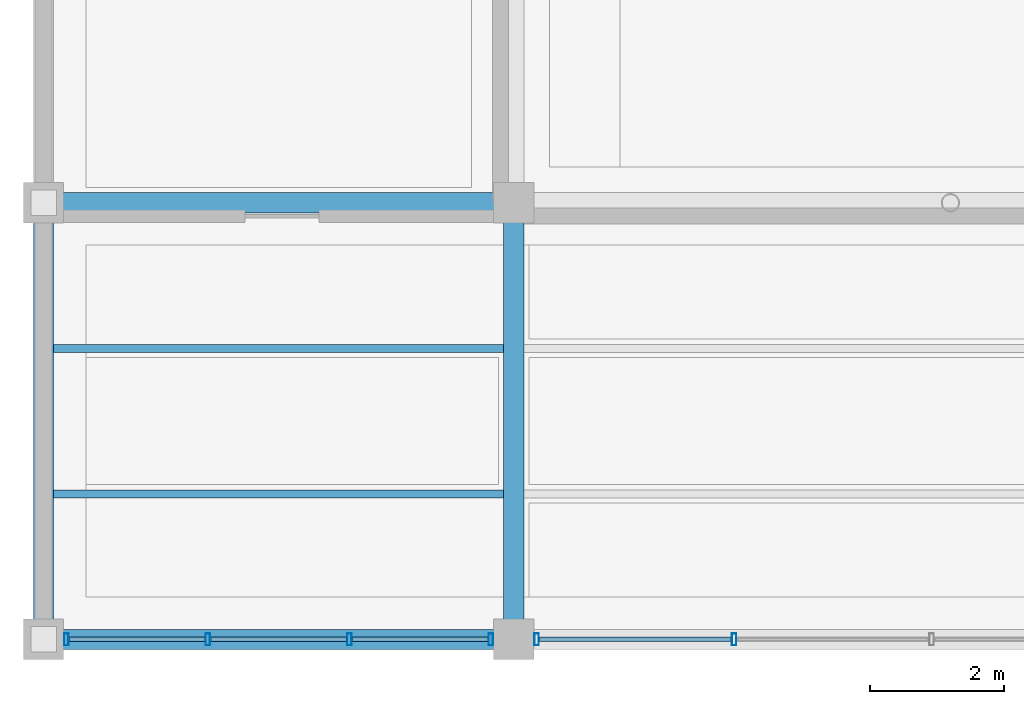
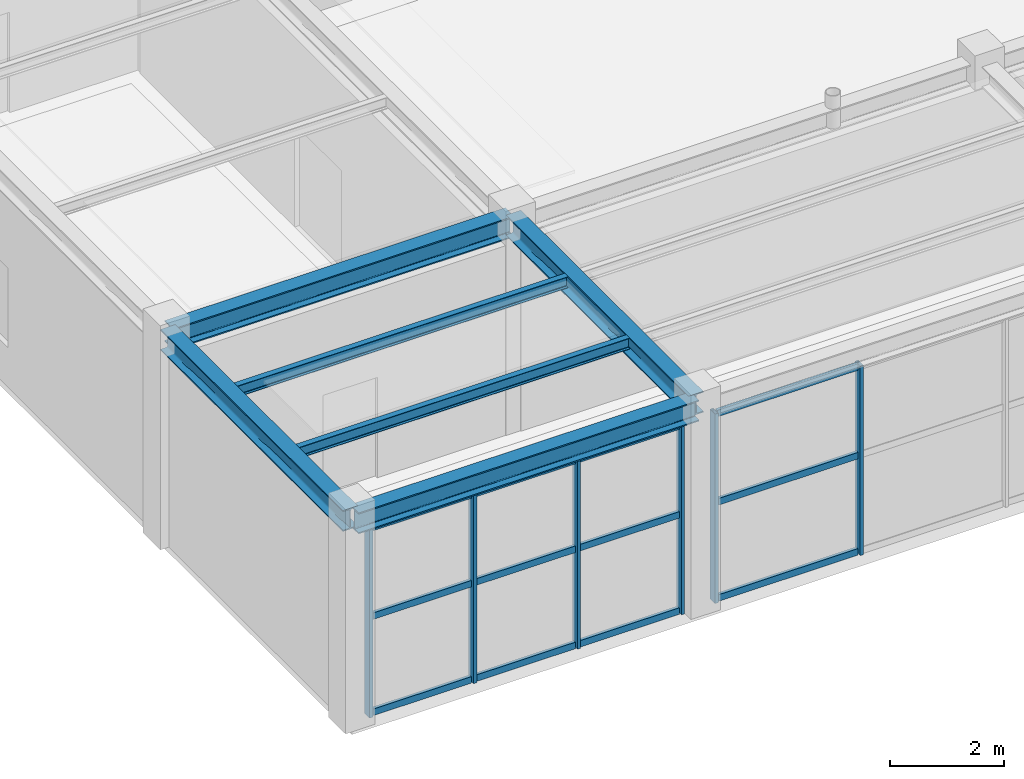
# One storey, part 19 of 108: 18 members, 6 beams, 2 elements without a shape of their own.
"""IFC4 building model written with IfcOpenShell, lengths in metres."""

from ifc_helpers import new_model, si_unit, direction, frame, origin, origin_2d, place, context, subcontext, project, spatial, hollow_rectangle, i_section, extrude, material, material_profile, profile_set, type_object, element, aggregate, save


model = new_model("IFC4")

# Units and contexts
model_context = context("Model", 3, precision=1e-05, world=origin(), true_north=direction((0.0, 1.0)))
body_context = subcontext(model_context, "Body", "Model", "MODEL_VIEW")
ifc_project = project(units=[si_unit("LENGTHUNIT", "METRE"), si_unit("AREAUNIT", "SQUARE_METRE"), si_unit("VOLUMEUNIT", "CUBIC_METRE"), si_unit("PLANEANGLEUNIT", "RADIAN"), si_unit("MASSUNIT", "GRAM", prefix="KILO")], contexts=[model_context])

# Site, building, storey
site_placement = place(None, origin())
site = spatial("IfcSite", under=ifc_project, at=site_placement, CompositionType="ELEMENT")
building_placement = place(site_placement, origin())
building = spatial("IfcBuilding", under=site, at=building_placement, Name="Tarnveldt Headland Concert Hall", CompositionType="ELEMENT")
storey_placement = place(building_placement, origin())
storey = spatial("IfcBuildingStorey", under=building, at=storey_placement, Name="L00", CompositionType="ELEMENT", Elevation=0.0)

# Curtain wall, members
ifc_material_1 = material(Name="Marine-anodised aluminium EN AW-6063-T6", Category="aluminium")
curtain_wall_type = type_object("IfcCurtainWallType", Name="CW-L1", PredefinedType="NOTDEFINED", material=ifc_material_1)
curtain_wall_1_placement = place(storey_placement, origin())
curtain_wall_1 = element("IfcCurtainWall", 1, at=curtain_wall_1_placement, inside=storey, type_object=curtain_wall_type, Name="Curtain wall CW-L00-163", PredefinedType="NOTDEFINED")
ifc_material_profile_1 = material_profile(ifc_material_1, hollow_rectangle(XDim=0.06494140625, YDim=0.179931640625, WallThickness=0.00390625, at=origin_2d()), Name="ALU MULLION 65x180x4", Category="aluminium")
ifc_profile_set_1 = profile_set([ifc_material_profile_1], Name="Marine-anodised aluminium EN AW-6063-T6")
member_type_1 = type_object("IfcMemberType", Name="ML-180", PredefinedType="MULLION", material=ifc_profile_set_1)
member_1_placement = place(storey_placement, frame((7.840087890625, 5.0, 0.0), z_axis=(0.0, 0.0, 1.0), x_axis=(1.0, 0.0, 0.0)))
member_1 = element("IfcMember", 2, at=member_1_placement, type_object=member_type_1, Name="Mullion CW-L00-163-1", PredefinedType="MULLION", context=body_context, shape_type="SweptSolid", body=[
    extrude(hollow_rectangle(XDim=0.06494140625, YDim=0.179931640625, WallThickness=0.00390625, at=origin_2d()), origin(), (0.0, 0.0, 1.0), 4.05810546875),
])
member_2_placement = place(storey_placement, frame((9.94677734375, 5.0, 0.0), z_axis=(0.0, 0.0, 1.0), x_axis=(1.0, 0.0, 0.0)))
member_2 = element("IfcMember", 3, at=member_2_placement, type_object=member_type_1, Name="Mullion CW-L00-163-2", PredefinedType="MULLION", context=body_context, shape_type="SweptSolid", body=[
    extrude(hollow_rectangle(XDim=0.06494140625, YDim=0.179931640625, WallThickness=0.00390625, at=origin_2d()), origin(), (0.0, 0.0, 1.0), 4.05810546875),
])
member_3_placement = place(storey_placement, frame((12.05322265625, 5.0, 0.0), z_axis=(0.0, 0.0, 1.0), x_axis=(1.0, 0.0, 0.0)))
member_3 = element("IfcMember", 4, at=member_3_placement, type_object=member_type_1, Name="Mullion CW-L00-163-3", PredefinedType="MULLION", context=body_context, shape_type="SweptSolid", body=[
    extrude(hollow_rectangle(XDim=0.06494140625, YDim=0.179931640625, WallThickness=0.00390625, at=origin_2d()), origin(), (0.0, 0.0, 1.0), 4.05810546875),
])
member_4_placement = place(storey_placement, frame((14.159912109375, 5.0, 0.0), z_axis=(0.0, 0.0, 1.0), x_axis=(1.0, 0.0, 0.0)))
member_4 = element("IfcMember", 5, at=member_4_placement, type_object=member_type_1, Name="Mullion CW-L00-163-4", PredefinedType="MULLION", context=body_context, shape_type="SweptSolid", body=[
    extrude(hollow_rectangle(XDim=0.06494140625, YDim=0.179931640625, WallThickness=0.00390625, at=origin_2d()), origin(), (0.0, 0.0, 1.0), 4.05810546875),
])

curtain_wall_2_placement = place(storey_placement, origin())
curtain_wall_2 = element("IfcCurtainWall", 6, at=curtain_wall_2_placement, inside=storey, type_object=curtain_wall_type, Name="Curtain wall CW-L00-164", PredefinedType="NOTDEFINED")
member_5_placement = place(storey_placement, frame((14.840087890625, 5.0, 0.0), z_axis=(0.0, 0.0, 1.0), x_axis=(1.0, 0.0, 0.0)))
member_5 = element("IfcMember", 7, at=member_5_placement, type_object=member_type_1, Name="Mullion CW-L00-164-1", PredefinedType="MULLION", context=body_context, shape_type="SweptSolid", body=[
    extrude(hollow_rectangle(XDim=0.06494140625, YDim=0.179931640625, WallThickness=0.00390625, at=origin_2d()), origin(), (0.0, 0.0, 1.0), 4.05810546875),
])
member_6_placement = place(storey_placement, frame((17.780029296875, 5.0, 0.0), z_axis=(0.0, 0.0, 1.0), x_axis=(1.0, 0.0, 0.0)))
member_6 = element("IfcMember", 8, at=member_6_placement, type_object=member_type_1, Name="Mullion CW-L00-164-2", PredefinedType="MULLION", context=body_context, shape_type="SweptSolid", body=[
    extrude(hollow_rectangle(XDim=0.06494140625, YDim=0.179931640625, WallThickness=0.00390625, at=origin_2d()), origin(), (0.0, 0.0, 1.0), 4.05810546875),
])

# Beams
ifc_material_2 = material(Name="Steel S355", Category="steel")
ifc_material_profile_2 = material_profile(ifc_material_2, i_section(OverallWidth=0.300048828125, OverallDepth=0.449951171875, WebThickness=0.013916015625, FlangeThickness=0.02587890625, FilletRadius=0.027099609375, at=origin_2d()), Name="HEB450", Category="steel")
ifc_profile_set_2 = profile_set([ifc_material_profile_2], Name="Steel S355")
beam_type_1 = type_object("IfcBeamType", Name="SB-HEB450", PredefinedType="BEAM", material=ifc_profile_set_2)
for number, where, z_axis, x_axis, name in (
    (9, (7.550048828125, 5.0, 4.294921875), (1.0, 0.0, 0.0), (0.0, 1.0, 0.0), "Framing beam L00-552"),
    (10, (7.550048828125, 11.5, 4.294921875), (1.0, 0.0, 0.0), (0.0, 1.0, 0.0), "Framing beam L00-557"),
):
    element("IfcBeam", number, at=place(storey_placement, frame(where, z_axis=z_axis, x_axis=x_axis)), inside=storey, type_object=beam_type_1, Name=name, PredefinedType="BEAM", context=body_context, shape_type="SweptSolid", body=[
        extrude(i_section(OverallWidth=0.300048828125, OverallDepth=0.449951171875, WebThickness=0.013916015625, FlangeThickness=0.02587890625, FilletRadius=0.027099609375, at=origin_2d()), origin(), (0.0, 0.0, 1.0), 6.89990234375),
    ])
for number, where, z_axis, x_axis, name in (
    (11, (7.5, 5.050048828125, 4.294921875), (0.0, 1.0, 0.0), (-1.0, 0.0, 0.0), "Framing beam L00-569"),
    (12, (14.5, 5.050048828125, 4.294921875), (0.0, 1.0, 0.0), (-1.0, 0.0, 0.0), "Framing beam L00-578"),
):
    element("IfcBeam", number, at=place(storey_placement, frame(where, z_axis=z_axis, x_axis=x_axis)), inside=storey, type_object=beam_type_1, Name=name, PredefinedType="BEAM", context=body_context, shape_type="SweptSolid", body=[
        extrude(i_section(OverallWidth=0.300048828125, OverallDepth=0.449951171875, WebThickness=0.013916015625, FlangeThickness=0.02587890625, FilletRadius=0.027099609375, at=origin_2d()), origin(), (0.0, 0.0, 1.0), 6.39990234375),
    ])
ifc_material_profile_3 = material_profile(ifc_material_2, i_section(OverallWidth=0.1201171875, OverallDepth=0.239990234375, WebThickness=0.006103515625, FlangeThickness=0.009765625, FilletRadius=0.014892578125, at=origin_2d()), Name="IPE240", Category="steel")
ifc_profile_set_3 = profile_set([ifc_material_profile_3], Name="Steel S355")
beam_type_2 = type_object("IfcBeamType", Name="SB-IPE240", PredefinedType="JOIST", material=ifc_profile_set_3)
for number, where, z_axis, x_axis, name in (
    (13, (7.64990234375, 7.1669921875, 4.39990234375), (1.0, 0.0, 0.0), (0.0, 1.0, 0.0), "Framing beam L00-570"),
    (14, (7.64990234375, 9.3330078125, 4.39990234375), (1.0, 0.0, 0.0), (0.0, 1.0, 0.0), "Framing beam L00-571"),
):
    element("IfcBeam", number, at=place(storey_placement, frame(where, z_axis=z_axis, x_axis=x_axis)), inside=storey, type_object=beam_type_2, Name=name, PredefinedType="JOIST", context=body_context, shape_type="SweptSolid", body=[
        extrude(i_section(OverallWidth=0.1201171875, OverallDepth=0.239990234375, WebThickness=0.006103515625, FlangeThickness=0.009765625, FilletRadius=0.014892578125, at=origin_2d()), origin(), (0.0, 0.0, 1.0), 6.7001953125),
    ])

# Member
ifc_material_profile_4 = material_profile(ifc_material_1, hollow_rectangle(XDim=0.06494140625, YDim=0.139892578125, WallThickness=0.00390625, at=origin_2d()), Name="ALU TRANSOM 65x140x4", Category="aluminium")
ifc_profile_set_4 = profile_set([ifc_material_profile_4], Name="Marine-anodised aluminium EN AW-6063-T6")
member_type_2 = type_object("IfcMemberType", Name="TR-140", PredefinedType="MEMBER", material=ifc_profile_set_4)
member_7_placement = place(storey_placement, frame((7.884521484375, 5.0, 0.050048828125), z_axis=(1.0, 0.0, 0.0), x_axis=(0.0, 1.0, 0.0)))
member_7 = element("IfcMember", 15, at=member_7_placement, type_object=member_type_2, Name="Transom CW-L00-163-1-1", PredefinedType="MEMBER", context=body_context, shape_type="SweptSolid", body=[
    extrude(hollow_rectangle(XDim=0.06494140625, YDim=0.139892578125, WallThickness=0.00390625, at=origin_2d()), origin(), (0.0, 0.0, 1.0), 2.017578125),
])

member_8_placement = place(storey_placement, frame((7.884521484375, 5.0, 2.110107421875), z_axis=(1.0, 0.0, 0.0), x_axis=(0.0, 1.0, 0.0)))
member_8 = element("IfcMember", 16, at=member_8_placement, type_object=member_type_2, Name="Transom CW-L00-163-1-2", PredefinedType="MEMBER", context=body_context, shape_type="SweptSolid", body=[
    extrude(hollow_rectangle(XDim=0.06494140625, YDim=0.139892578125, WallThickness=0.00390625, at=origin_2d()), origin(), (0.0, 0.0, 1.0), 2.017578125),
])

member_9_placement = place(storey_placement, frame((7.884521484375, 5.0, 4.008056640625), z_axis=(1.0, 0.0, 0.0), x_axis=(0.0, 1.0, 0.0)))
member_9 = element("IfcMember", 17, at=member_9_placement, type_object=member_type_2, Name="Transom CW-L00-163-1-3", PredefinedType="MEMBER", context=body_context, shape_type="SweptSolid", body=[
    extrude(hollow_rectangle(XDim=0.06494140625, YDim=0.139892578125, WallThickness=0.00390625, at=origin_2d()), origin(), (0.0, 0.0, 1.0), 2.017578125),
])

member_10_placement = place(storey_placement, frame((9.9912109375, 5.0, 0.050048828125), z_axis=(1.0, 0.0, 0.0), x_axis=(0.0, 1.0, 0.0)))
member_10 = element("IfcMember", 18, at=member_10_placement, type_object=member_type_2, Name="Transom CW-L00-163-2-1", PredefinedType="MEMBER", context=body_context, shape_type="SweptSolid", body=[
    extrude(hollow_rectangle(XDim=0.06494140625, YDim=0.139892578125, WallThickness=0.00390625, at=origin_2d()), origin(), (0.0, 0.0, 1.0), 2.017578125),
])

member_11_placement = place(storey_placement, frame((9.9912109375, 5.0, 2.110107421875), z_axis=(1.0, 0.0, 0.0), x_axis=(0.0, 1.0, 0.0)))
member_11 = element("IfcMember", 19, at=member_11_placement, type_object=member_type_2, Name="Transom CW-L00-163-2-2", PredefinedType="MEMBER", context=body_context, shape_type="SweptSolid", body=[
    extrude(hollow_rectangle(XDim=0.06494140625, YDim=0.139892578125, WallThickness=0.00390625, at=origin_2d()), origin(), (0.0, 0.0, 1.0), 2.017578125),
])

member_12_placement = place(storey_placement, frame((9.9912109375, 5.0, 4.008056640625), z_axis=(1.0, 0.0, 0.0), x_axis=(0.0, 1.0, 0.0)))
member_12 = element("IfcMember", 20, at=member_12_placement, type_object=member_type_2, Name="Transom CW-L00-163-2-3", PredefinedType="MEMBER", context=body_context, shape_type="SweptSolid", body=[
    extrude(hollow_rectangle(XDim=0.06494140625, YDim=0.139892578125, WallThickness=0.00390625, at=origin_2d()), origin(), (0.0, 0.0, 1.0), 2.017578125),
])

member_13_placement = place(storey_placement, frame((12.097900390625, 5.0, 0.050048828125), z_axis=(1.0, 0.0, 0.0), x_axis=(0.0, 1.0, 0.0)))
member_13 = element("IfcMember", 21, at=member_13_placement, type_object=member_type_2, Name="Transom CW-L00-163-3-1", PredefinedType="MEMBER", context=body_context, shape_type="SweptSolid", body=[
    extrude(hollow_rectangle(XDim=0.06494140625, YDim=0.139892578125, WallThickness=0.00390625, at=origin_2d()), origin(), (0.0, 0.0, 1.0), 2.017578125),
])

member_14_placement = place(storey_placement, frame((12.097900390625, 5.0, 2.110107421875), z_axis=(1.0, 0.0, 0.0), x_axis=(0.0, 1.0, 0.0)))
member_14 = element("IfcMember", 22, at=member_14_placement, type_object=member_type_2, Name="Transom CW-L00-163-3-2", PredefinedType="MEMBER", context=body_context, shape_type="SweptSolid", body=[
    extrude(hollow_rectangle(XDim=0.06494140625, YDim=0.139892578125, WallThickness=0.00390625, at=origin_2d()), origin(), (0.0, 0.0, 1.0), 2.017578125),
])

member_15_placement = place(storey_placement, frame((12.097900390625, 5.0, 4.008056640625), z_axis=(1.0, 0.0, 0.0), x_axis=(0.0, 1.0, 0.0)))
member_15 = element("IfcMember", 23, at=member_15_placement, type_object=member_type_2, Name="Transom CW-L00-163-3-3", PredefinedType="MEMBER", context=body_context, shape_type="SweptSolid", body=[
    extrude(hollow_rectangle(XDim=0.06494140625, YDim=0.139892578125, WallThickness=0.00390625, at=origin_2d()), origin(), (0.0, 0.0, 1.0), 2.017578125),
])

aggregate(curtain_wall_1, [member_1, member_2, member_3, member_4, member_7, member_8, member_9, member_10, member_11, member_12, member_13, member_14, member_15])

member_16_placement = place(storey_placement, frame((14.884521484375, 5.0, 0.050048828125), z_axis=(1.0, 0.0, 0.0), x_axis=(0.0, 1.0, 0.0)))
member_16 = element("IfcMember", 24, at=member_16_placement, type_object=member_type_2, Name="Transom CW-L00-164-1-1", PredefinedType="MEMBER", context=body_context, shape_type="SweptSolid", body=[
    extrude(hollow_rectangle(XDim=0.06494140625, YDim=0.139892578125, WallThickness=0.00390625, at=origin_2d()), origin(), (0.0, 0.0, 1.0), 2.85107421875),
])

member_17_placement = place(storey_placement, frame((14.884521484375, 5.0, 2.110107421875), z_axis=(1.0, 0.0, 0.0), x_axis=(0.0, 1.0, 0.0)))
member_17 = element("IfcMember", 25, at=member_17_placement, type_object=member_type_2, Name="Transom CW-L00-164-1-2", PredefinedType="MEMBER", context=body_context, shape_type="SweptSolid", body=[
    extrude(hollow_rectangle(XDim=0.06494140625, YDim=0.139892578125, WallThickness=0.00390625, at=origin_2d()), origin(), (0.0, 0.0, 1.0), 2.85107421875),
])

member_18_placement = place(storey_placement, frame((14.884521484375, 5.0, 4.008056640625), z_axis=(1.0, 0.0, 0.0), x_axis=(0.0, 1.0, 0.0)))
member_18 = element("IfcMember", 26, at=member_18_placement, type_object=member_type_2, Name="Transom CW-L00-164-1-3", PredefinedType="MEMBER", context=body_context, shape_type="SweptSolid", body=[
    extrude(hollow_rectangle(XDim=0.06494140625, YDim=0.139892578125, WallThickness=0.00390625, at=origin_2d()), origin(), (0.0, 0.0, 1.0), 2.85107421875),
])

aggregate(curtain_wall_2, [member_5, member_6, member_16, member_17, member_18])

save(model, "model.ifc")
